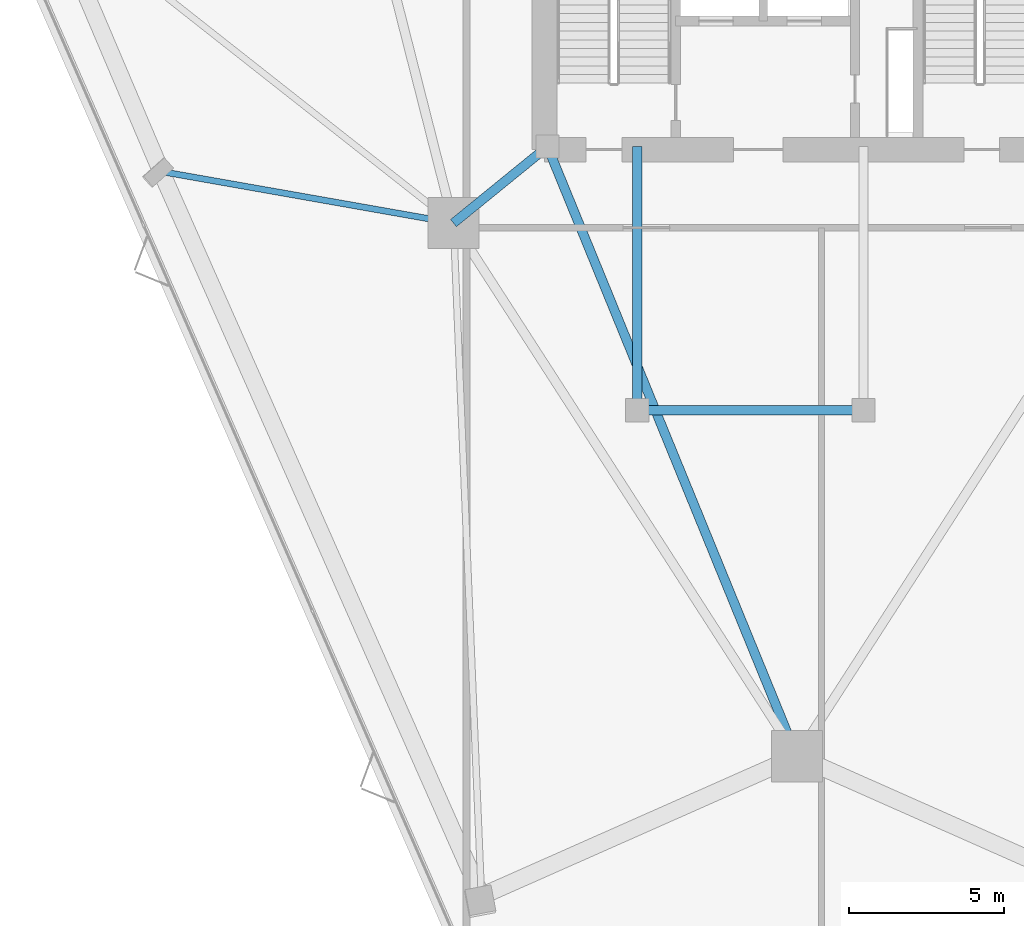
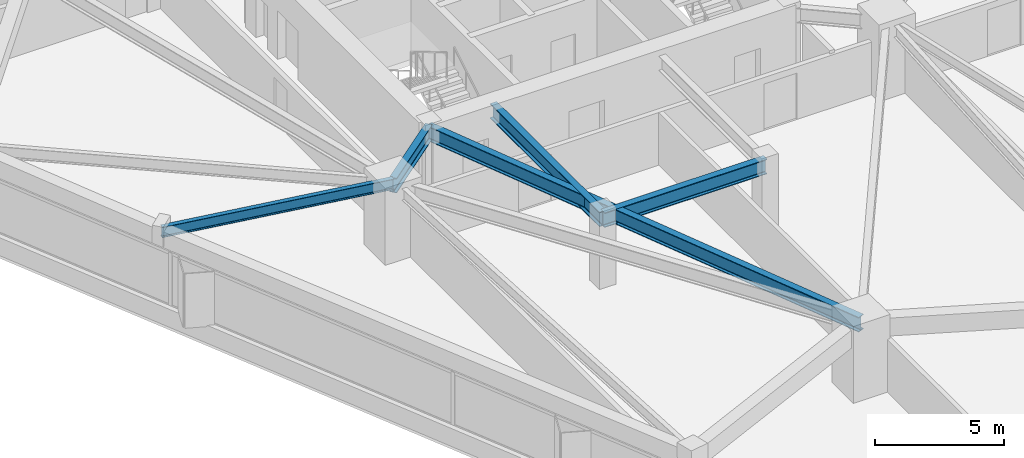
# One storey, part 7 of 20: 5 beams.
"""IFC4 building model written with IfcOpenShell, lengths in metres."""

from ifc_helpers import new_model, si_unit, direction, frame, origin, origin_2d, place, context, subcontext, project, spatial, i_section, extrude, material, material_profile, profile_set, type_object, element, save


model = new_model("IFC4")

# Units and contexts
model_context = context("Model", 3, precision=1e-05, world=origin(), true_north=direction((0.0, 1.0)))
body_context = subcontext(model_context, "Body", "Model", "MODEL_VIEW")
ifc_project = project(units=[si_unit("LENGTHUNIT", "METRE"), si_unit("AREAUNIT", "SQUARE_METRE"), si_unit("VOLUMEUNIT", "CUBIC_METRE"), si_unit("PLANEANGLEUNIT", "RADIAN"), si_unit("MASSUNIT", "GRAM", prefix="KILO")], contexts=[model_context])

# Site, building, storey
site_placement = place(None, origin())
site = spatial("IfcSite", under=ifc_project, at=site_placement, CompositionType="ELEMENT")
building_placement = place(site_placement, origin())
building = spatial("IfcBuilding", under=site, at=building_placement, Name="Talyreon Biosciences Tower", CompositionType="ELEMENT")
storey_placement = place(building_placement, frame((0.0, 0.0, 75.0)))
storey = spatial("IfcBuildingStorey", under=building, at=storey_placement, Name="L19", CompositionType="ELEMENT", Elevation=75.0)

# Beams
ifc_material = material(Name="Steel SM355", Category="steel")
ifc_material_profile_1 = material_profile(ifc_material, i_section(OverallWidth=0.300048828125, OverallDepth=0.699951171875, WebThickness=0.01708984375, FlangeThickness=0.031982421875, FilletRadius=0.027099609375, at=origin_2d()), Name="HE700B")
ifc_profile_set_1 = profile_set([ifc_material_profile_1], Name="Steel SM355")
beam_type_1 = type_object("IfcBeamType", Name="SteelGirder_HE700B", PredefinedType="BEAM", material=ifc_profile_set_1)
beam_1_placement = place(storey_placement, frame((57.949951171875, 61.35009765625, 3.02490234375), z_axis=(0.378547014545, -0.925582064314, 0.0), x_axis=(0.925582064314, 0.378547014545, 0.0)))
element("IfcBeam", 1, at=beam_1_placement, inside=storey, type_object=beam_type_1, Name="L19 Radial Primary Girder 1", PredefinedType="BEAM", context=body_context, shape_type="SweptSolid", body=[
    extrude(i_section(OverallWidth=0.300048828125, OverallDepth=0.699951171875, WebThickness=0.01708984375, FlangeThickness=0.031982421875, FilletRadius=0.027099609375, at=origin_2d()), origin(), (0.0, 0.0, 1.0), 21.265625),
])
beam_2_placement = place(storey_placement, frame((57.949951171875, 61.35009765625, 3.02490234375), z_axis=(-0.775755154013, -0.631034025249, 0.0), x_axis=(0.631034025249, -0.775755154013, 0.0)))
element("IfcBeam", 2, at=beam_2_placement, inside=storey, type_object=beam_type_1, Name="L19 Radial Primary Girder 6", PredefinedType="BEAM", context=body_context, shape_type="SweptSolid", body=[
    extrude(i_section(OverallWidth=0.300048828125, OverallDepth=0.699951171875, WebThickness=0.01708984375, FlangeThickness=0.031982421875, FilletRadius=0.027099609375, at=origin_2d()), origin(), (0.0, 0.0, 1.0), 3.913818359375),
])
beam_3_placement = place(storey_placement, frame((60.85009765625, 52.840087890625, 3.02490234375), z_axis=(1.0, 0.0, 0.0), x_axis=(0.0, 1.0, 0.0)))
element("IfcBeam", 3, at=beam_3_placement, inside=storey, type_object=beam_type_1, Name="L19 Crown Shaft Spine Girder S", PredefinedType="BEAM", context=body_context, shape_type="SweptSolid", body=[
    extrude(i_section(OverallWidth=0.300048828125, OverallDepth=0.699951171875, WebThickness=0.01708984375, FlangeThickness=0.031982421875, FilletRadius=0.027099609375, at=origin_2d()), origin(), (0.0, 0.0, 1.0), 7.2998046875),
])
beam_4_placement = place(storey_placement, frame((60.85009765625, 52.840087890625, 3.02490234375), z_axis=(0.0, 1.0, 0.0), x_axis=(-1.0, 0.0, 0.0)))
element("IfcBeam", 4, at=beam_4_placement, inside=storey, type_object=beam_type_1, Name="L19 Crown Shaft Tie Girder W", PredefinedType="BEAM", context=body_context, shape_type="SweptSolid", body=[
    extrude(i_section(OverallWidth=0.300048828125, OverallDepth=0.699951171875, WebThickness=0.01708984375, FlangeThickness=0.031982421875, FilletRadius=0.027099609375, at=origin_2d()), origin(), (0.0, 0.0, 1.0), 8.510009765625),
])
ifc_material_profile_2 = material_profile(ifc_material, i_section(OverallWidth=0.199951171875, OverallDepth=0.5, WebThickness=0.01025390625, FlangeThickness=0.01611328125, FilletRadius=0.02099609375, at=origin_2d()), Name="IPE500")
ifc_profile_set_2 = profile_set([ifc_material_profile_2], Name="Steel SM355")
beam_type_2 = type_object("IfcBeamType", Name="SteelJoist_IPE500", PredefinedType="JOIST", material=ifc_profile_set_2)
beam_5_placement = place(storey_placement, frame((54.913818359375, 58.88037109375, 3.125), z_axis=(-0.984791763197, 0.173738836013, 0.0), x_axis=(-0.173738836013, -0.984791763197, 0.0)))
element("IfcBeam", 5, at=beam_5_placement, inside=storey, type_object=beam_type_2, Name="L19 Radial Composite Floor Joist PL-SW", PredefinedType="JOIST", context=body_context, shape_type="SweptSolid", body=[
    extrude(i_section(OverallWidth=0.199951171875, OverallDepth=0.5, WebThickness=0.01025390625, FlangeThickness=0.01611328125, FilletRadius=0.02099609375, at=origin_2d()), origin(), (0.0, 0.0, 1.0), 9.5849609375),
])

save(model, "model.ifc")
